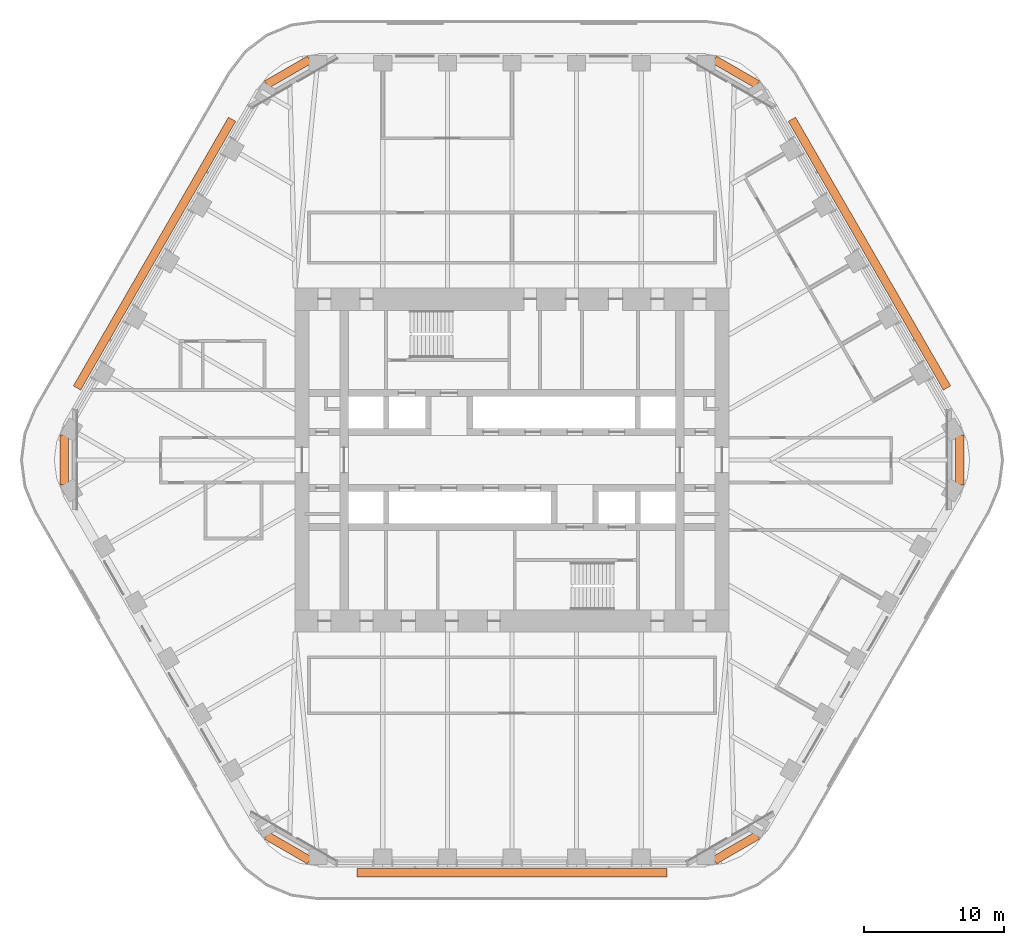
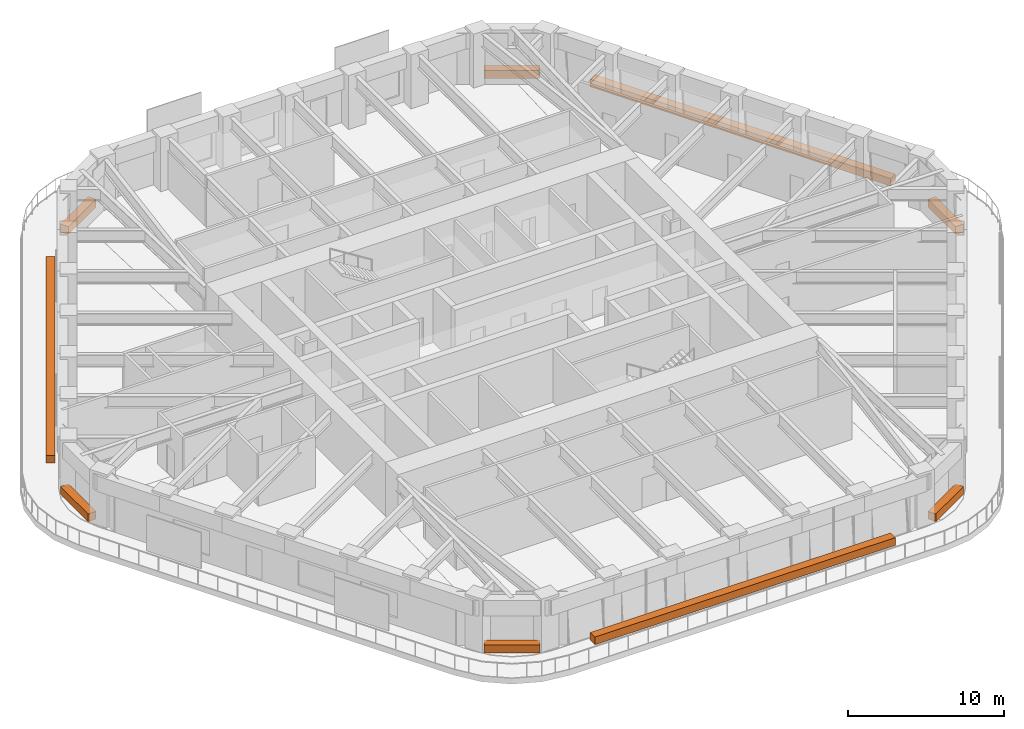
# One storey, part 20 of 20: 9 proxies.
"""IFC4 building model written with IfcOpenShell, lengths in metres."""

from ifc_helpers import new_model, si_unit, direction, frame, origin, origin_2d, place, context, subcontext, project, spatial, rectangle, extrude, material, element, save


model = new_model("IFC4")

# Units and contexts
model_context = context("Model", 3, precision=1e-05, world=origin(), true_north=direction((0.0, 1.0)))
body_context = subcontext(model_context, "Body", "Model", "MODEL_VIEW")
ifc_project = project(units=[si_unit("LENGTHUNIT", "METRE"), si_unit("AREAUNIT", "SQUARE_METRE"), si_unit("VOLUMEUNIT", "CUBIC_METRE"), si_unit("PLANEANGLEUNIT", "RADIAN"), si_unit("MASSUNIT", "GRAM", prefix="KILO")], contexts=[model_context])

# Site, building, storey
site_placement = place(None, origin())
site = spatial("IfcSite", under=ifc_project, at=site_placement, CompositionType="ELEMENT")
building_placement = place(site_placement, origin())
building = spatial("IfcBuilding", under=site, at=building_placement, Name="Tarfa Lantern Tower", CompositionType="ELEMENT")
storey_placement = place(building_placement, frame((0.0, 0.0, 236.5)))
storey = spatial("IfcBuildingStorey", under=building, at=storey_placement, Name="L53", CompositionType="ELEMENT", Elevation=236.5)

# Proxies
ifc_material = material(Name="Planting bed")
for number, where, z_axis, x_axis, name in (
    (1, (16.006591796875, 27.72412109375, 0.0400390625), (0.0, 0.0, 1.0), (-0.866025403784, 0.5, 0.0), "Sky garden planter"),
    (2, (-16.006591796875, 27.72412109375, 0.0400390625), (0.0, 0.0, 1.0), (-0.866025403784, -0.5, 0.0), "Sky garden planter"),
    (3, (-32.012939453125, 0.0, 0.0400390625), (0.0, 0.0, 1.0), (0.0, -1.0, 0.0), "Sky garden planter"),
    (4, (-16.006591796875, -27.72412109375, 0.0400390625), (0.0, 0.0, 1.0), (0.866025403784, -0.5, 0.0), "Sky garden planter"),
    (5, (16.006591796875, -27.72412109375, 0.0400390625), (0.0, 0.0, 1.0), (0.866025403784, 0.5, 0.0), "Sky garden planter"),
    (6, (32.012939453125, 0.0, 0.0400390625), (0.0, 0.0, 1.0), (0.0, 1.0, 0.0), "Sky garden planter"),
):
    element("IfcBuildingElementProxy", number, at=place(storey_placement, frame(where, z_axis=z_axis, x_axis=x_axis)), inside=storey, material=ifc_material, Name=name, ObjectType="PLANTER", PredefinedType="USERDEFINED", context=body_context, shape_type="SweptSolid", body=[
        extrude(rectangle(XDim=3.551025390625, YDim=0.60009765625, at=origin_2d()), origin(), (0.0, 0.0, 1.0), 0.60009765625),
    ])
for number, where, z_axis, x_axis, name in (
    (7, (25.5478515625, 14.75, 0.0), (0.0, 0.0, 1.0), (-0.5, 0.866025403784, 0.0), "Balcony planter"),
    (8, (-25.5478515625, 14.75, 0.0), (0.0, 0.0, 1.0), (-0.5, -0.866025403784, 0.0), "Balcony planter"),
    (9, (0.0, -29.5, 0.0), (0.0, 0.0, 1.0), (1.0, 0.0, 0.0), "Balcony planter"),
):
    element("IfcBuildingElementProxy", number, at=place(storey_placement, frame(where, z_axis=z_axis, x_axis=x_axis)), inside=storey, material=ifc_material, Name=name, ObjectType="PLANTER", PredefinedType="USERDEFINED", context=body_context, shape_type="SweptSolid", body=[
        extrude(rectangle(XDim=22.170166015625, YDim=0.60009765625, at=origin_2d()), origin(), (0.0, 0.0, 1.0), 0.60009765625),
    ])

save(model, "model.ifc")
